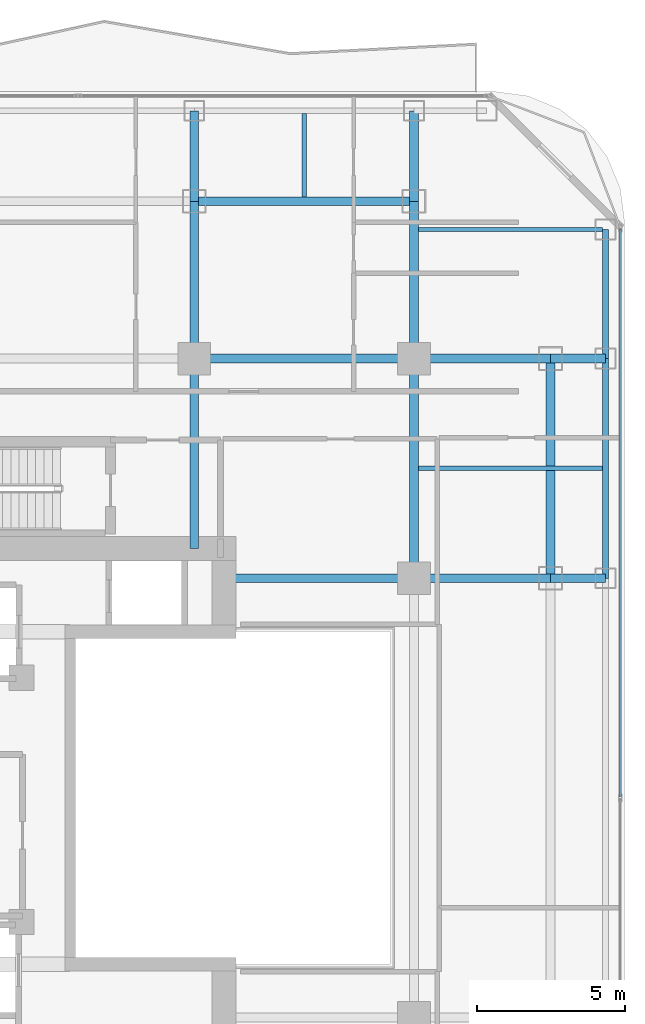
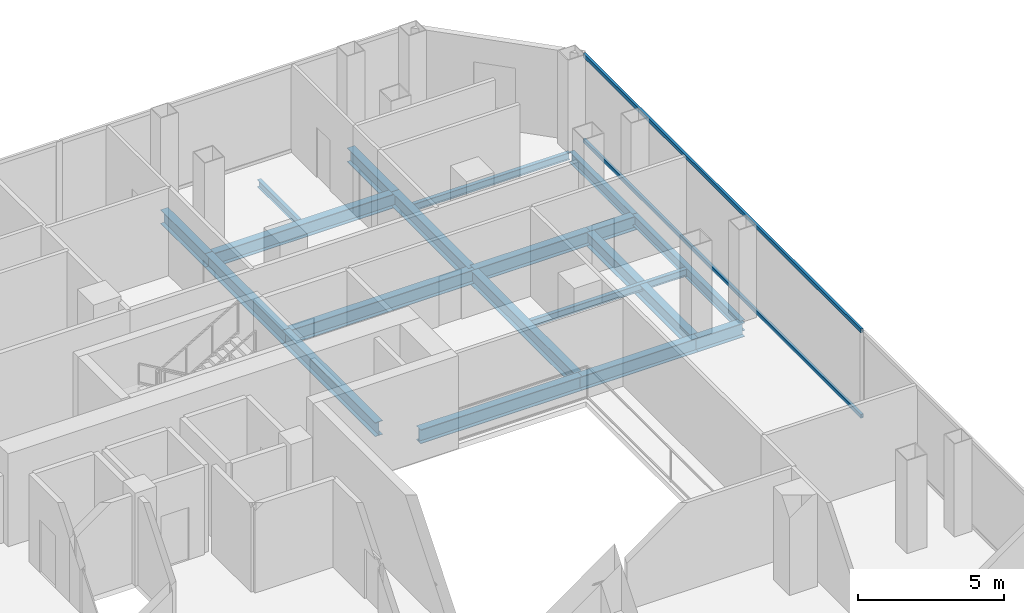
# One storey, part 15 of 25: 19 beams, 2 members, 1 element without a shape of its own.
"""IFC4 building model written with IfcOpenShell, lengths in metres."""

from ifc_helpers import new_model, si_unit, direction, frame, origin, origin_2d, place, context, subcontext, project, spatial, hollow_rectangle, i_section, extrude, material, layer, layer_set, material_profile, profile_set, type_object, element, aggregate, save


model = new_model("IFC4")

# Units and contexts
model_context = context("Model", 3, precision=1e-05, world=origin(), true_north=direction((0.0, 1.0)))
body_context = subcontext(model_context, "Body", "Model", "MODEL_VIEW")
ifc_project = project(units=[si_unit("LENGTHUNIT", "METRE"), si_unit("AREAUNIT", "SQUARE_METRE"), si_unit("VOLUMEUNIT", "CUBIC_METRE"), si_unit("PLANEANGLEUNIT", "RADIAN"), si_unit("MASSUNIT", "GRAM", prefix="KILO")], contexts=[model_context])

# Site, building, storey
site_placement = place(None, origin())
site = spatial("IfcSite", under=ifc_project, at=site_placement, CompositionType="ELEMENT")
building_placement = place(site_placement, origin())
building = spatial("IfcBuilding", under=site, at=building_placement, Name="Khorvyn Point Tower", CompositionType="ELEMENT")
storey_placement = place(building_placement, frame((0.0, 0.0, 171.89990234375)))
storey = spatial("IfcBuildingStorey", under=building, at=storey_placement, Name="L42", CompositionType="ELEMENT", Elevation=171.89990234375)

# Curtain wall, members
ifc_material_1 = material(Name="Anodised aluminium 6063-T6 and laminated Low-E glass", Category="aluminium")
ifc_layer = layer(ifc_material_1, 0.18994140625)
ifc_layer_set = layer_set([ifc_layer], Name="Stick-Built Acoustic Curtain Wall CW-SYS-03")
curtain_wall_type = type_object("IfcCurtainWallType", Name="Stick-Built Acoustic Curtain Wall CW-SYS-03", PredefinedType="NOTDEFINED", material=ifc_layer_set)
curtain_wall_placement = place(storey_placement, origin())
curtain_wall = element("IfcCurtainWall", 1, at=curtain_wall_placement, inside=storey, type_object=curtain_wall_type, Name="Curtain Wall", PredefinedType="NOTDEFINED")
ifc_material_2 = material(Name="Anodised aluminium 6063-T6", Category="aluminium")
ifc_material_profile_1 = material_profile(ifc_material_2, hollow_rectangle(XDim=0.10009765625, YDim=0.159912109375, WallThickness=0.00439453125, at=origin_2d()))
ifc_profile_set_1 = profile_set([ifc_material_profile_1], Name="Anodised aluminium 6063-T6 ALU-TRN-100x160")
member_type = type_object("IfcMemberType", Name="Anodised Aluminium 6063-T6 Transom ALU-TRN-100x160", PredefinedType="USERDEFINED", material=ifc_profile_set_1)
member_1_placement = place(storey_placement, frame((21.75, 19.14990234375, 0.050048828125), z_axis=(0.0, -1.0, 0.0), x_axis=(1.0, 0.0, 0.0)))
member_1 = element("IfcMember", 2, at=member_1_placement, type_object=member_type, Name="Transom", ObjectType="TRANSOM", PredefinedType="USERDEFINED", context=body_context, shape_type="SweptSolid", body=[
    extrude(hollow_rectangle(XDim=0.10009765625, YDim=0.159912109375, WallThickness=0.00439453125, at=origin_2d()), origin(), (0.0, 0.0, 1.0), 19.099853515625),
])
member_2_placement = place(storey_placement, frame((21.75, 19.14990234375, 3.630126953125), z_axis=(0.0, -1.0, 0.0), x_axis=(1.0, 0.0, 0.0)))
member_2 = element("IfcMember", 3, at=member_2_placement, type_object=member_type, Name="Transom", ObjectType="TRANSOM", PredefinedType="USERDEFINED", context=body_context, shape_type="SweptSolid", body=[
    extrude(hollow_rectangle(XDim=0.10009765625, YDim=0.159912109375, WallThickness=0.00439453125, at=origin_2d()), origin(), (0.0, 0.0, 1.0), 19.099853515625),
])
aggregate(curtain_wall, [member_1, member_2])

# Beams
ifc_material_3 = material(Name="Steel S355", Category="steel")
ifc_material_profile_2 = material_profile(ifc_material_3, i_section(OverallWidth=0.300048828125, OverallDepth=0.587890625, WebThickness=0.011962890625, FlangeThickness=0.02001953125, at=origin_2d()))
ifc_profile_set_2 = profile_set([ifc_material_profile_2], Name="Steel S355 H588x300x12x20")
beam_type_1 = type_object("IfcBeamType", Name="Steel S355 Beam H588x300x12x20", PredefinedType="BEAM", material=ifc_profile_set_2)
beam_1_placement = place(storey_placement, frame((7.39990234375, 14.800048828125, -0.513916015625), z_axis=(1.0, 0.0, 0.0), x_axis=(0.0, 1.0, 0.0)))
element("IfcBeam", 4, at=beam_1_placement, inside=storey, type_object=beam_type_1, Name="Beam", PredefinedType="BEAM", context=body_context, shape_type="SweptSolid", body=[
    extrude(i_section(OverallWidth=0.300048828125, OverallDepth=0.587890625, WebThickness=0.011962890625, FlangeThickness=0.02001953125, at=origin_2d()), origin(), (0.0, 0.0, 1.0), 7.400146484375),
])
beam_2_placement = place(storey_placement, frame((14.800048828125, 14.800048828125, -0.513916015625), z_axis=(1.0, 0.0, 0.0), x_axis=(0.0, 1.0, 0.0)))
element("IfcBeam", 5, at=beam_2_placement, inside=storey, type_object=beam_type_1, Name="Beam", PredefinedType="BEAM", context=body_context, shape_type="SweptSolid", body=[
    extrude(i_section(OverallWidth=0.300048828125, OverallDepth=0.587890625, WebThickness=0.011962890625, FlangeThickness=0.02001953125, at=origin_2d()), origin(), (0.0, 0.0, 1.0), 4.599853515625),
])
beam_3_placement = place(storey_placement, frame((19.39990234375, 14.800048828125, -0.513916015625), z_axis=(1.0, 0.0, 0.0), x_axis=(0.0, 1.0, 0.0)))
element("IfcBeam", 6, at=beam_3_placement, inside=storey, type_object=beam_type_1, Name="Beam", PredefinedType="BEAM", context=body_context, shape_type="SweptSolid", body=[
    extrude(i_section(OverallWidth=0.300048828125, OverallDepth=0.587890625, WebThickness=0.011962890625, FlangeThickness=0.02001953125, at=origin_2d()), origin(), (0.0, 0.0, 1.0), 1.85009765625),
])
beam_4_placement = place(storey_placement, frame((8.39990234375, 7.39990234375, -0.513916015625), z_axis=(1.0, 0.0, 0.0), x_axis=(0.0, 1.0, 0.0)))
element("IfcBeam", 7, at=beam_4_placement, inside=storey, type_object=beam_type_1, Name="Beam", PredefinedType="BEAM", context=body_context, shape_type="SweptSolid", body=[
    extrude(i_section(OverallWidth=0.300048828125, OverallDepth=0.587890625, WebThickness=0.011962890625, FlangeThickness=0.02001953125, at=origin_2d()), origin(), (0.0, 0.0, 1.0), 6.400146484375),
])
beam_5_placement = place(storey_placement, frame((14.800048828125, 7.39990234375, -0.513916015625), z_axis=(1.0, 0.0, 0.0), x_axis=(0.0, 1.0, 0.0)))
element("IfcBeam", 8, at=beam_5_placement, inside=storey, type_object=beam_type_1, Name="Beam", PredefinedType="BEAM", context=body_context, shape_type="SweptSolid", body=[
    extrude(i_section(OverallWidth=0.300048828125, OverallDepth=0.587890625, WebThickness=0.011962890625, FlangeThickness=0.02001953125, at=origin_2d()), origin(), (0.0, 0.0, 1.0), 4.599853515625),
])
beam_6_placement = place(storey_placement, frame((19.39990234375, 7.39990234375, -0.513916015625), z_axis=(1.0, 0.0, 0.0), x_axis=(0.0, 1.0, 0.0)))
element("IfcBeam", 9, at=beam_6_placement, inside=storey, type_object=beam_type_1, Name="Beam", PredefinedType="BEAM", context=body_context, shape_type="SweptSolid", body=[
    extrude(i_section(OverallWidth=0.300048828125, OverallDepth=0.587890625, WebThickness=0.011962890625, FlangeThickness=0.02001953125, at=origin_2d()), origin(), (0.0, 0.0, 1.0), 1.85009765625),
])
for number, where, z_axis, x_axis, name in (
    (10, (7.39990234375, 20.10009765625, -0.513916015625), (1.0, 0.0, 0.0), (0.0, 1.0, 0.0), "Beam"),
    (11, (14.800048828125, 7.39990234375, -0.513916015625), (0.0, 1.0, 0.0), (-1.0, 0.0, 0.0), "Beam"),
):
    element("IfcBeam", number, at=place(storey_placement, frame(where, z_axis=z_axis, x_axis=x_axis)), inside=storey, type_object=beam_type_1, Name=name, PredefinedType="BEAM", context=body_context, shape_type="SweptSolid", body=[
        extrude(i_section(OverallWidth=0.300048828125, OverallDepth=0.587890625, WebThickness=0.011962890625, FlangeThickness=0.02001953125, at=origin_2d()), origin(), (0.0, 0.0, 1.0), 7.400146484375),
    ])
beam_7_placement = place(storey_placement, frame((14.800048828125, 14.800048828125, -0.513916015625), z_axis=(0.0, 1.0, 0.0), x_axis=(-1.0, 0.0, 0.0)))
element("IfcBeam", 12, at=beam_7_placement, inside=storey, type_object=beam_type_1, Name="Beam", PredefinedType="BEAM", context=body_context, shape_type="SweptSolid", body=[
    extrude(i_section(OverallWidth=0.300048828125, OverallDepth=0.587890625, WebThickness=0.011962890625, FlangeThickness=0.02001953125, at=origin_2d()), origin(), (0.0, 0.0, 1.0), 5.300048828125),
])
beam_8_placement = place(storey_placement, frame((14.800048828125, 20.10009765625, -0.513916015625), z_axis=(0.0, 1.0, 0.0), x_axis=(-1.0, 0.0, 0.0)))
element("IfcBeam", 13, at=beam_8_placement, inside=storey, type_object=beam_type_1, Name="Beam", PredefinedType="BEAM", context=body_context, shape_type="SweptSolid", body=[
    extrude(i_section(OverallWidth=0.300048828125, OverallDepth=0.587890625, WebThickness=0.011962890625, FlangeThickness=0.02001953125, at=origin_2d()), origin(), (0.0, 0.0, 1.0), 3.0498046875),
])
beam_9_placement = place(storey_placement, frame((7.39990234375, 8.39990234375, -0.513916015625), z_axis=(0.0, 1.0, 0.0), x_axis=(-1.0, 0.0, 0.0)))
element("IfcBeam", 14, at=beam_9_placement, inside=storey, type_object=beam_type_1, Name="Beam", PredefinedType="BEAM", context=body_context, shape_type="SweptSolid", body=[
    extrude(i_section(OverallWidth=0.300048828125, OverallDepth=0.587890625, WebThickness=0.011962890625, FlangeThickness=0.02001953125, at=origin_2d()), origin(), (0.0, 0.0, 1.0), 6.400146484375),
])
beam_10_placement = place(storey_placement, frame((7.39990234375, 14.800048828125, -0.513916015625), z_axis=(0.0, 1.0, 0.0), x_axis=(-1.0, 0.0, 0.0)))
element("IfcBeam", 15, at=beam_10_placement, inside=storey, type_object=beam_type_1, Name="Beam", PredefinedType="BEAM", context=body_context, shape_type="SweptSolid", body=[
    extrude(i_section(OverallWidth=0.300048828125, OverallDepth=0.587890625, WebThickness=0.011962890625, FlangeThickness=0.02001953125, at=origin_2d()), origin(), (0.0, 0.0, 1.0), 5.300048828125),
])
beam_11_placement = place(storey_placement, frame((7.39990234375, 20.10009765625, -0.513916015625), z_axis=(0.0, 1.0, 0.0), x_axis=(-1.0, 0.0, 0.0)))
element("IfcBeam", 16, at=beam_11_placement, inside=storey, type_object=beam_type_1, Name="Beam", PredefinedType="BEAM", context=body_context, shape_type="SweptSolid", body=[
    extrude(i_section(OverallWidth=0.300048828125, OverallDepth=0.587890625, WebThickness=0.011962890625, FlangeThickness=0.02001953125, at=origin_2d()), origin(), (0.0, 0.0, 1.0), 3.0498046875),
])
beam_12_placement = place(storey_placement, frame((19.39990234375, 7.39990234375, -0.513916015625), z_axis=(0.0, 1.0, 0.0), x_axis=(-1.0, 0.0, 0.0)))
element("IfcBeam", 17, at=beam_12_placement, inside=storey, type_object=beam_type_1, Name="Beam", PredefinedType="BEAM", context=body_context, shape_type="SweptSolid", body=[
    extrude(i_section(OverallWidth=0.300048828125, OverallDepth=0.587890625, WebThickness=0.011962890625, FlangeThickness=0.02001953125, at=origin_2d()), origin(), (0.0, 0.0, 1.0), 7.400146484375),
])
ifc_material_profile_3 = material_profile(ifc_material_3, i_section(OverallWidth=0.14990234375, OverallDepth=0.300048828125, WebThickness=0.006591796875, FlangeThickness=0.009033203125, at=origin_2d()))
ifc_profile_set_3 = profile_set([ifc_material_profile_3], Name="Steel S355 H300x150x6.5x9")
beam_type_2 = type_object("IfcBeamType", Name="Steel S355 Joist H300x150x6.5x9", PredefinedType="JOIST", material=ifc_profile_set_3)
beam_13_placement = place(storey_placement, frame((14.949951171875, 11.10009765625, -0.369873046875), z_axis=(1.0, 0.0, 0.0), x_axis=(0.0, 1.0, 0.0)))
element("IfcBeam", 18, at=beam_13_placement, inside=storey, type_object=beam_type_2, Name="Beam", PredefinedType="JOIST", context=body_context, shape_type="SweptSolid", body=[
    extrude(i_section(OverallWidth=0.14990234375, OverallDepth=0.300048828125, WebThickness=0.006591796875, FlangeThickness=0.009033203125, at=origin_2d()), origin(), (0.0, 0.0, 1.0), 6.199951171875),
])
beam_14_placement = place(storey_placement, frame((11.10009765625, 20.25, -0.369873046875), z_axis=(0.0, 1.0, 0.0), x_axis=(-1.0, 0.0, 0.0)))
element("IfcBeam", 19, at=beam_14_placement, inside=storey, type_object=beam_type_2, Name="Beam", PredefinedType="JOIST", context=body_context, shape_type="SweptSolid", body=[
    extrude(i_section(OverallWidth=0.14990234375, OverallDepth=0.300048828125, WebThickness=0.006591796875, FlangeThickness=0.009033203125, at=origin_2d()), origin(), (0.0, 0.0, 1.0), 2.800048828125),
])
beam_15_placement = place(storey_placement, frame((14.949951171875, 19.14990234375, -0.369873046875), z_axis=(1.0, 0.0, 0.0), x_axis=(0.0, 1.0, 0.0)))
element("IfcBeam", 20, at=beam_15_placement, inside=storey, type_object=beam_type_2, Name="Beam", PredefinedType="JOIST", context=body_context, shape_type="SweptSolid", body=[
    extrude(i_section(OverallWidth=0.14990234375, OverallDepth=0.300048828125, WebThickness=0.006591796875, FlangeThickness=0.009033203125, at=origin_2d()), origin(), (0.0, 0.0, 1.0), 6.199951171875),
])
ifc_material_profile_4 = material_profile(ifc_material_3, i_section(OverallWidth=0.199951171875, OverallDepth=0.449951171875, WebThickness=0.009033203125, FlangeThickness=0.013916015625, at=origin_2d()))
ifc_profile_set_4 = profile_set([ifc_material_profile_4], Name="Steel S355 H450x200x9x14")
beam_type_3 = type_object("IfcBeamType", Name="Steel S355 Spandrel H450x200x9x14", PredefinedType="SPANDREL", material=ifc_profile_set_4)
beam_16_placement = place(storey_placement, frame((21.25, 7.39990234375, -0.44482421875), z_axis=(0.0, 1.0, 0.0), x_axis=(-1.0, 0.0, 0.0)))
element("IfcBeam", 21, at=beam_16_placement, inside=storey, type_object=beam_type_3, Name="Beam", PredefinedType="SPANDREL", context=body_context, shape_type="SweptSolid", body=[
    extrude(i_section(OverallWidth=0.199951171875, OverallDepth=0.449951171875, WebThickness=0.009033203125, FlangeThickness=0.013916015625, at=origin_2d()), origin(), (0.0, 0.0, 1.0), 7.400146484375),
])
beam_17_placement = place(storey_placement, frame((21.25, 14.800048828125, -0.44482421875), z_axis=(0.0, 1.0, 0.0), x_axis=(-1.0, 0.0, 0.0)))
element("IfcBeam", 22, at=beam_17_placement, inside=storey, type_object=beam_type_3, Name="Beam", PredefinedType="SPANDREL", context=body_context, shape_type="SweptSolid", body=[
    extrude(i_section(OverallWidth=0.199951171875, OverallDepth=0.449951171875, WebThickness=0.009033203125, FlangeThickness=0.013916015625, at=origin_2d()), origin(), (0.0, 0.0, 1.0), 4.349853515625),
])

save(model, "model.ifc")
